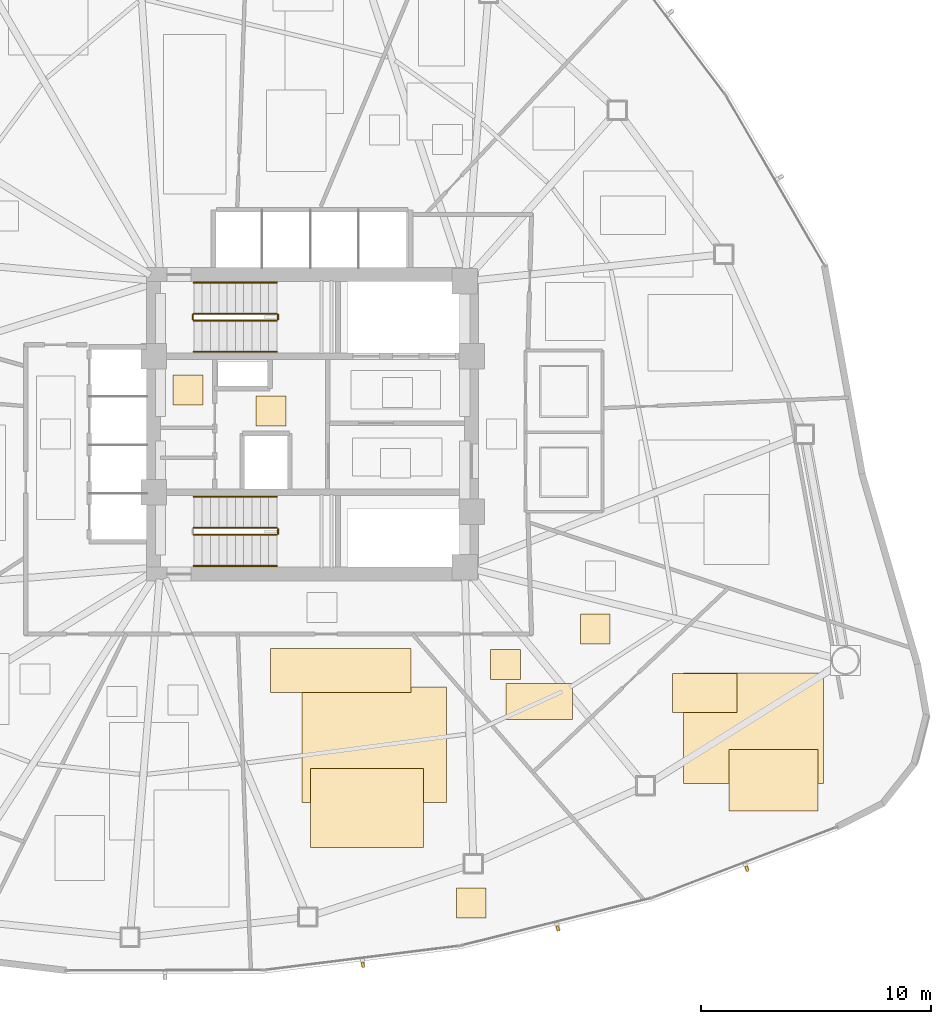
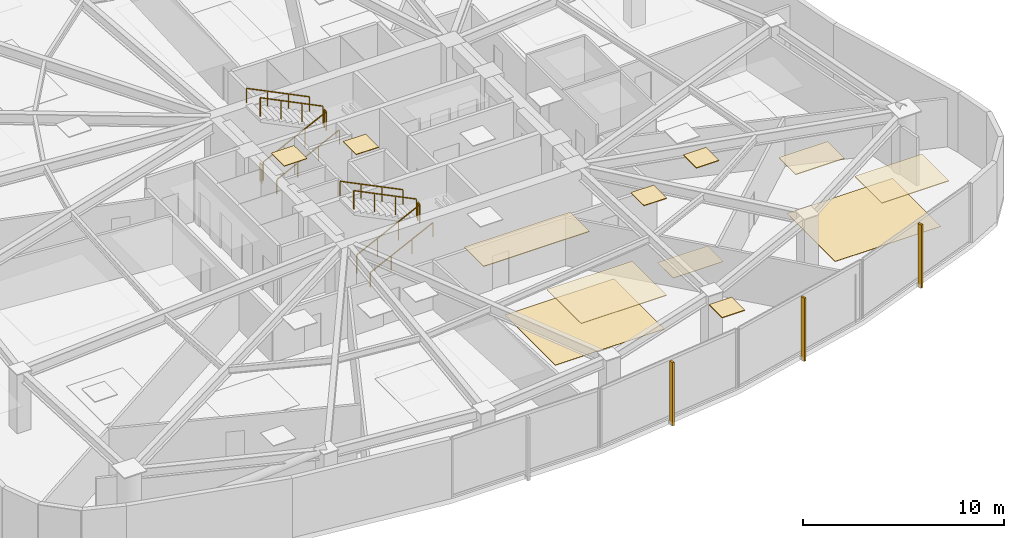
# One storey, part 15 of 17: 12 coverings, 11 railings, 3 shading devices.
"""IFC4 building model written with IfcOpenShell, lengths in metres."""

from ifc_helpers import new_model, si_unit, direction, frame, origin, origin_2d, place, context, subcontext, project, spatial, polyline, rectangle, outline, extrude, source, transform, mapped, material, layer, layer_set, type_object, type_shapes, element, save


model = new_model("IFC4")

# Units and contexts
model_context = context("Model", 3, precision=1e-05, world=origin(), true_north=direction((0.0, 1.0)))
body_context = subcontext(model_context, "Body", "Model", "MODEL_VIEW")
ifc_project = project(units=[si_unit("LENGTHUNIT", "METRE"), si_unit("AREAUNIT", "SQUARE_METRE"), si_unit("VOLUMEUNIT", "CUBIC_METRE"), si_unit("PLANEANGLEUNIT", "RADIAN"), si_unit("MASSUNIT", "GRAM", prefix="KILO")], contexts=[model_context])

# Site, building, storey
site_placement = place(None, origin())
site = spatial("IfcSite", under=ifc_project, at=site_placement, CompositionType="ELEMENT")
building_placement = place(site_placement, origin())
building = spatial("IfcBuilding", under=site, at=building_placement, Name="Tavelor Broadcast Tower", CompositionType="ELEMENT")
storey_placement = place(building_placement, frame((0.0, 0.0, 39.300048828125)))
storey = spatial("IfcBuildingStorey", under=building, at=storey_placement, Name="L08", CompositionType="ELEMENT", Elevation=39.300048828125)

# Railings
ifc_material_1 = material(Name="Steel S355", Category="steel")
railing_type_1 = type_object("IfcRailingType", Name="Continuous Brushed Stainless Handrail 900 mm", PredefinedType="HANDRAIL", material=ifc_material_1)
railing_1_placement = place(storey_placement, frame((44.85009765625, 48.14990234375, 0.17724609375)))
element("IfcRailing", 1, at=railing_1_placement, inside=storey, type_object=railing_type_1, Name="L08 ST1 stair handrail 1", PredefinedType="HANDRAIL", context=body_context, shape_type="SweptSolid", body=[
    extrude(rectangle(XDim=0.048095703125, YDim=0.048095703125, at=origin_2d()), frame((0.0, 0.0, 0.8759765625), z_axis=(0.897124305991, 0.0, 0.441778201817), x_axis=(0.0, 1.0, 0.0)), (0.0, 0.0, 1.0), 4.0126953125),
    extrude(rectangle(XDim=0.0419921875, YDim=0.0419921875, at=origin_2d()), origin(), (0.0, 0.0, 1.0), 0.851806640625),
    extrude(rectangle(XDim=0.0419921875, YDim=0.0419921875, at=origin_2d()), frame((1.199951171875, 0.0, 0.5908203125)), (0.0, 0.0, 1.0), 0.851806640625),
    extrude(rectangle(XDim=0.0419921875, YDim=0.0419921875, at=origin_2d()), frame((2.39990234375, 0.0, 1.181884765625)), (0.0, 0.0, 1.0), 0.851806640625),
    extrude(rectangle(XDim=0.0419921875, YDim=0.0419921875, at=origin_2d()), frame((3.599853515625, 0.0, 1.772705078125)), (0.0, 0.0, 1.0), 0.851806640625),
])
railing_2_placement = place(storey_placement, frame((48.449951171875, 51.14990234375, 2.127197265625)))
element("IfcRailing", 2, at=railing_2_placement, inside=storey, type_object=railing_type_1, Name="L08 ST1 stair handrail 2", PredefinedType="HANDRAIL", context=body_context, shape_type="SweptSolid", body=[
    extrude(rectangle(XDim=0.048095703125, YDim=0.048095703125, at=origin_2d()), frame((0.0, 0.0, 0.8759765625), z_axis=(-0.897124305991, 0.0, 0.441778201817), x_axis=(0.0, -1.0, 0.0)), (0.0, 0.0, 1.0), 4.0126953125),
    extrude(rectangle(XDim=0.0419921875, YDim=0.0419921875, at=origin_2d()), origin(), (0.0, 0.0, 1.0), 0.851806640625),
    extrude(rectangle(XDim=0.0419921875, YDim=0.0419921875, at=origin_2d()), frame((-1.199951171875, 0.0, 0.5908203125)), (0.0, 0.0, 1.0), 0.851806640625),
    extrude(rectangle(XDim=0.0419921875, YDim=0.0419921875, at=origin_2d()), frame((-2.39990234375, 0.0, 1.181884765625)), (0.0, 0.0, 1.0), 0.851806640625),
    extrude(rectangle(XDim=0.0419921875, YDim=0.0419921875, at=origin_2d()), frame((-3.599853515625, 0.0, 1.772705078125)), (0.0, 0.0, 1.0), 0.851806640625),
])
railing_3_placement = place(storey_placement, frame((44.85009765625, 38.85009765625, 0.17724609375)))
element("IfcRailing", 3, at=railing_3_placement, inside=storey, type_object=railing_type_1, Name="L08 ST2 stair handrail 1", PredefinedType="HANDRAIL", context=body_context, shape_type="SweptSolid", body=[
    extrude(rectangle(XDim=0.048095703125, YDim=0.048095703125, at=origin_2d()), frame((0.0, 0.0, 0.8759765625), z_axis=(0.897124305991, 0.0, 0.441778201817), x_axis=(0.0, 1.0, 0.0)), (0.0, 0.0, 1.0), 4.0126953125),
    extrude(rectangle(XDim=0.0419921875, YDim=0.0419921875, at=origin_2d()), origin(), (0.0, 0.0, 1.0), 0.851806640625),
    extrude(rectangle(XDim=0.0419921875, YDim=0.0419921875, at=origin_2d()), frame((1.199951171875, 0.0, 0.5908203125)), (0.0, 0.0, 1.0), 0.851806640625),
    extrude(rectangle(XDim=0.0419921875, YDim=0.0419921875, at=origin_2d()), frame((2.39990234375, 0.0, 1.181884765625)), (0.0, 0.0, 1.0), 0.851806640625),
    extrude(rectangle(XDim=0.0419921875, YDim=0.0419921875, at=origin_2d()), frame((3.599853515625, 0.0, 1.772705078125)), (0.0, 0.0, 1.0), 0.851806640625),
])
railing_4_placement = place(storey_placement, frame((48.449951171875, 41.85009765625, 2.127197265625)))
element("IfcRailing", 4, at=railing_4_placement, inside=storey, type_object=railing_type_1, Name="L08 ST2 stair handrail 2", PredefinedType="HANDRAIL", context=body_context, shape_type="SweptSolid", body=[
    extrude(rectangle(XDim=0.048095703125, YDim=0.048095703125, at=origin_2d()), frame((0.0, 0.0, 0.8759765625), z_axis=(-0.897124305991, 0.0, 0.441778201817), x_axis=(0.0, -1.0, 0.0)), (0.0, 0.0, 1.0), 4.0126953125),
    extrude(rectangle(XDim=0.0419921875, YDim=0.0419921875, at=origin_2d()), origin(), (0.0, 0.0, 1.0), 0.851806640625),
    extrude(rectangle(XDim=0.0419921875, YDim=0.0419921875, at=origin_2d()), frame((-1.199951171875, 0.0, 0.5908203125)), (0.0, 0.0, 1.0), 0.851806640625),
    extrude(rectangle(XDim=0.0419921875, YDim=0.0419921875, at=origin_2d()), frame((-2.39990234375, 0.0, 1.181884765625)), (0.0, 0.0, 1.0), 0.851806640625),
    extrude(rectangle(XDim=0.0419921875, YDim=0.0419921875, at=origin_2d()), frame((-3.599853515625, 0.0, 1.772705078125)), (0.0, 0.0, 1.0), 0.851806640625),
])

# Coverings
ifc_material_2 = material(Name="Acoustic Nylon Carpet Tile")
ifc_layer_1 = layer(ifc_material_2, 0.02001953125)
ifc_layer_set_1 = layer_set([ifc_layer_1], Name="Acoustic Nylon Carpet Tile")
covering_type_1 = type_object("IfcCoveringType", Name="Heavy-Duty Acoustic Broadcast Carpet Tile 20 mm", PredefinedType="FLOORING", material=ifc_layer_set_1)
covering_1_placement = place(storey_placement, origin())
element("IfcCovering", 5, at=covering_1_placement, inside=storey, type_object=covering_type_1, Name="L08 Broadcast Floor Finish 0089", PredefinedType="FLOORING", context=body_context, shape_type="SweptSolid", body=[
    extrude(outline(polyline([(49.545166015625, 28.576904296875), (55.811279296875, 28.576904296875), (55.811279296875, 33.599609375), (49.545166015625, 33.599609375), (49.545166015625, 28.576904296875)])), origin(), (0.0, 0.0, 1.0), 0.02001953125),
])
covering_2_placement = place(storey_placement, origin())
element("IfcCovering", 6, at=covering_2_placement, inside=storey, type_object=covering_type_1, Name="L08 Broadcast Floor Finish 0099", PredefinedType="FLOORING", context=body_context, shape_type="SweptSolid", body=[
    extrude(outline(polyline([(66.093017578125, 29.40380859375), (72.163330078125, 29.40380859375), (72.163330078125, 34.2138671875), (66.093017578125, 34.2138671875), (66.093017578125, 29.40380859375)])), origin(), (0.0, 0.0, 1.0), 0.02001953125),
])
covering_3_placement = place(storey_placement, origin())
element("IfcCovering", 7, at=covering_3_placement, inside=storey, type_object=covering_type_1, Name="L08 Broadcast Floor Finish 0100", PredefinedType="FLOORING", context=body_context, shape_type="SweptSolid", body=[
    extrude(outline(polyline([(58.389892578125, 32.178955078125), (61.267578125, 32.178955078125), (61.267578125, 33.745361328125), (58.389892578125, 33.745361328125), (58.389892578125, 32.178955078125)])), origin(), (0.0, 0.0, 1.0), 0.02001953125),
])
ifc_material_3 = material(Name="Architectural Anodized Aluminium", Category="aluminium")
ifc_layer_2 = layer(ifc_material_3, 0.030029296875)
ifc_layer_set_2 = layer_set([ifc_layer_2], Name="Architectural Anodized Aluminium")
covering_type_2 = type_object("IfcCoveringType", Name="Moisture-Resistant Washroom Ceiling 30 mm", PredefinedType="CEILING", material=ifc_layer_set_2)
covering_4_placement = place(storey_placement, frame((0.0, 0.0, 3.570068359375)))
element("IfcCovering", 8, at=covering_4_placement, inside=storey, type_object=covering_type_2, Name="L08 Suspended Acoustic Ceiling 0254", PredefinedType="CEILING", context=body_context, shape_type="SweptSolid", body=[
    extrude(outline(polyline([(43.951416015625, 45.843017578125), (45.25146484375, 45.843017578125), (45.25146484375, 47.14306640625), (43.951416015625, 47.14306640625), (43.951416015625, 45.843017578125)])), origin(), (0.0, 0.0, 1.0), 0.02978515625),
])

# Railings
railing_type_2 = type_object("IfcRailingType", Name="Stairwell Steel Safety Guardrail 1150 mm", PredefinedType="GUARDRAIL", material=ifc_material_1)
railing_5_placement = place(storey_placement, frame((44.85009765625, 49.5, 0.17724609375)))
element("IfcRailing", 9, at=railing_5_placement, inside=storey, type_object=railing_type_2, Name="L08 ST1 stair guard 1", PredefinedType="GUARDRAIL", context=body_context, shape_type="SweptSolid", body=[
    extrude(rectangle(XDim=0.048095703125, YDim=0.048095703125, at=origin_2d()), frame((0.0, 0.0, 1.1259765625), z_axis=(0.897124305991, 0.0, 0.441778201817), x_axis=(0.0, 1.0, 0.0)), (0.0, 0.0, 1.0), 4.0126953125),
    extrude(rectangle(XDim=0.0419921875, YDim=0.0419921875, at=origin_2d()), origin(), (0.0, 0.0, 1.0), 1.101806640625),
    extrude(rectangle(XDim=0.0419921875, YDim=0.0419921875, at=origin_2d()), frame((1.199951171875, 0.0, 0.5908203125)), (0.0, 0.0, 1.0), 1.101806640625),
    extrude(rectangle(XDim=0.0419921875, YDim=0.0419921875, at=origin_2d()), frame((2.39990234375, 0.0, 1.181884765625)), (0.0, 0.0, 1.0), 1.101806640625),
    extrude(rectangle(XDim=0.0419921875, YDim=0.0419921875, at=origin_2d()), frame((3.599853515625, 0.0, 1.772705078125)), (0.0, 0.0, 1.0), 1.101806640625),
])
railing_6_placement = place(storey_placement, frame((48.5, 49.550048828125, 1.949951171875)))
element("IfcRailing", 10, at=railing_6_placement, inside=storey, type_object=railing_type_2, Name="L08 ST1 stair guard 2", PredefinedType="GUARDRAIL", context=body_context, shape_type="SweptSolid", body=[
    extrude(rectangle(XDim=0.048095703125, YDim=0.048095703125, at=origin_2d()), frame((0.0, 0.0, 1.1259765625), z_axis=(0.0, 1.0, 0.0), x_axis=(-1.0, 0.0, 0.0)), (0.0, 0.0, 1.0), 0.199951171875),
    extrude(rectangle(XDim=0.0419921875, YDim=0.0419921875, at=origin_2d()), origin(), (0.0, 0.0, 1.0), 1.101806640625),
    extrude(rectangle(XDim=0.0419921875, YDim=0.0419921875, at=origin_2d()), frame((0.0, 0.199951171875, 0.0)), (0.0, 0.0, 1.0), 1.101806640625),
])
railing_7_placement = place(storey_placement, frame((48.449951171875, 49.800048828125, 2.127197265625)))
element("IfcRailing", 11, at=railing_7_placement, inside=storey, type_object=railing_type_2, Name="L08 ST1 stair guard 3", PredefinedType="GUARDRAIL", context=body_context, shape_type="SweptSolid", body=[
    extrude(rectangle(XDim=0.048095703125, YDim=0.048095703125, at=origin_2d()), frame((0.0, 0.0, 1.1259765625), z_axis=(-0.897124305991, 0.0, 0.441778201817), x_axis=(0.0, -1.0, 0.0)), (0.0, 0.0, 1.0), 4.0126953125),
    extrude(rectangle(XDim=0.0419921875, YDim=0.0419921875, at=origin_2d()), origin(), (0.0, 0.0, 1.0), 1.101806640625),
    extrude(rectangle(XDim=0.0419921875, YDim=0.0419921875, at=origin_2d()), frame((-1.199951171875, 0.0, 0.5908203125)), (0.0, 0.0, 1.0), 1.101806640625),
    extrude(rectangle(XDim=0.0419921875, YDim=0.0419921875, at=origin_2d()), frame((-2.39990234375, 0.0, 1.181884765625)), (0.0, 0.0, 1.0), 1.101806640625),
    extrude(rectangle(XDim=0.0419921875, YDim=0.0419921875, at=origin_2d()), frame((-3.599853515625, 0.0, 1.772705078125)), (0.0, 0.0, 1.0), 1.101806640625),
])
railing_8_placement = place(storey_placement, frame((44.800048828125, 49.550048828125, 0.0)))
element("IfcRailing", 12, at=railing_8_placement, inside=storey, type_object=railing_type_2, Name="L08 ST1 stair guard 4", PredefinedType="GUARDRAIL", context=body_context, shape_type="SweptSolid", body=[
    extrude(rectangle(XDim=0.048095703125, YDim=0.048095703125, at=origin_2d()), frame((0.0, 0.0, 1.1259765625), z_axis=(0.0, 1.0, 0.0), x_axis=(-1.0, 0.0, 0.0)), (0.0, 0.0, 1.0), 0.199951171875),
    extrude(rectangle(XDim=0.0419921875, YDim=0.0419921875, at=origin_2d()), origin(), (0.0, 0.0, 1.0), 1.101806640625),
    extrude(rectangle(XDim=0.0419921875, YDim=0.0419921875, at=origin_2d()), frame((0.0, 0.199951171875, 0.0)), (0.0, 0.0, 1.0), 1.101806640625),
])
railing_9_placement = place(storey_placement, frame((44.85009765625, 40.199951171875, 0.17724609375)))
element("IfcRailing", 13, at=railing_9_placement, inside=storey, type_object=railing_type_2, Name="L08 ST2 stair guard 1", PredefinedType="GUARDRAIL", context=body_context, shape_type="SweptSolid", body=[
    extrude(rectangle(XDim=0.048095703125, YDim=0.048095703125, at=origin_2d()), frame((0.0, 0.0, 1.1259765625), z_axis=(0.897124305991, 0.0, 0.441778201817), x_axis=(0.0, 1.0, 0.0)), (0.0, 0.0, 1.0), 4.0126953125),
    extrude(rectangle(XDim=0.0419921875, YDim=0.0419921875, at=origin_2d()), origin(), (0.0, 0.0, 1.0), 1.101806640625),
    extrude(rectangle(XDim=0.0419921875, YDim=0.0419921875, at=origin_2d()), frame((1.199951171875, 0.0, 0.5908203125)), (0.0, 0.0, 1.0), 1.101806640625),
    extrude(rectangle(XDim=0.0419921875, YDim=0.0419921875, at=origin_2d()), frame((2.39990234375, 0.0, 1.181884765625)), (0.0, 0.0, 1.0), 1.101806640625),
    extrude(rectangle(XDim=0.0419921875, YDim=0.0419921875, at=origin_2d()), frame((3.599853515625, 0.0, 1.772705078125)), (0.0, 0.0, 1.0), 1.101806640625),
])
railing_10_placement = place(storey_placement, frame((48.5, 40.25, 1.949951171875)))
element("IfcRailing", 14, at=railing_10_placement, inside=storey, type_object=railing_type_2, Name="L08 ST2 stair guard 2", PredefinedType="GUARDRAIL", context=body_context, shape_type="SweptSolid", body=[
    extrude(rectangle(XDim=0.048095703125, YDim=0.048095703125, at=origin_2d()), frame((0.0, 0.0, 1.1259765625), z_axis=(0.0, 1.0, 0.0), x_axis=(-1.0, 0.0, 0.0)), (0.0, 0.0, 1.0), 0.199951171875),
    extrude(rectangle(XDim=0.0419921875, YDim=0.0419921875, at=origin_2d()), origin(), (0.0, 0.0, 1.0), 1.101806640625),
    extrude(rectangle(XDim=0.0419921875, YDim=0.0419921875, at=origin_2d()), frame((0.0, 0.199951171875, 0.0)), (0.0, 0.0, 1.0), 1.101806640625),
])
railing_11_placement = place(storey_placement, frame((48.449951171875, 40.5, 2.127197265625)))
element("IfcRailing", 15, at=railing_11_placement, inside=storey, type_object=railing_type_2, Name="L08 ST2 stair guard 3", PredefinedType="GUARDRAIL", context=body_context, shape_type="SweptSolid", body=[
    extrude(rectangle(XDim=0.048095703125, YDim=0.048095703125, at=origin_2d()), frame((0.0, 0.0, 1.1259765625), z_axis=(-0.897124305991, 0.0, 0.441778201817), x_axis=(0.0, -1.0, 0.0)), (0.0, 0.0, 1.0), 4.0126953125),
    extrude(rectangle(XDim=0.0419921875, YDim=0.0419921875, at=origin_2d()), origin(), (0.0, 0.0, 1.0), 1.101806640625),
    extrude(rectangle(XDim=0.0419921875, YDim=0.0419921875, at=origin_2d()), frame((-1.199951171875, 0.0, 0.5908203125)), (0.0, 0.0, 1.0), 1.101806640625),
    extrude(rectangle(XDim=0.0419921875, YDim=0.0419921875, at=origin_2d()), frame((-2.39990234375, 0.0, 1.181884765625)), (0.0, 0.0, 1.0), 1.101806640625),
    extrude(rectangle(XDim=0.0419921875, YDim=0.0419921875, at=origin_2d()), frame((-3.599853515625, 0.0, 1.772705078125)), (0.0, 0.0, 1.0), 1.101806640625),
])

# Coverings
ifc_material_4 = material(Name="Acoustic Mineral Fibre Tile")
ifc_layer_3 = layer(ifc_material_4, 0.0400390625)
ifc_layer_set_3 = layer_set([ifc_layer_3], Name="Acoustic Mineral Fibre Tile")
covering_type_3 = type_object("IfcCoveringType", Name="Suspended Acoustic Mineral-Fibre Office Ceiling 40 mm", PredefinedType="CEILING", material=ifc_layer_set_3)
covering_5_placement = place(storey_placement, frame((0.0, 0.0, 3.56005859375)))
element("IfcCovering", 16, at=covering_5_placement, inside=storey, type_object=covering_type_3, Name="L08 Suspended Acoustic Ceiling 0253", PredefinedType="CEILING", context=body_context, shape_type="SweptSolid", body=[
    extrude(outline(polyline([(47.544921875, 44.919921875), (48.844970703125, 44.919921875), (48.844970703125, 46.219970703125), (47.544921875, 46.219970703125), (47.544921875, 44.919921875)])), origin(), (0.0, 0.0, 1.0), 0.039794921875),
])
covering_6_placement = place(storey_placement, frame((0.0, 0.0, 3.56005859375)))
element("IfcCovering", 17, at=covering_6_placement, inside=storey, type_object=covering_type_3, Name="L08 Suspended Acoustic Ceiling 0260", PredefinedType="CEILING", context=body_context, shape_type="SweptSolid", body=[
    extrude(outline(polyline([(48.1826171875, 33.3515625), (54.263671875, 33.3515625), (54.263671875, 35.2783203125), (48.1826171875, 35.2783203125), (48.1826171875, 33.3515625)])), origin(), (0.0, 0.0, 1.0), 0.039794921875),
])
covering_7_placement = place(storey_placement, frame((0.0, 0.0, 3.56005859375)))
element("IfcCovering", 18, at=covering_7_placement, inside=storey, type_object=covering_type_3, Name="L08 Suspended Acoustic Ceiling 0261", PredefinedType="CEILING", context=body_context, shape_type="SweptSolid", body=[
    extrude(outline(polyline([(56.234375, 23.571533203125), (57.534423828125, 23.571533203125), (57.534423828125, 24.87158203125), (56.234375, 24.87158203125), (56.234375, 23.571533203125)])), origin(), (0.0, 0.0, 1.0), 0.039794921875),
])
covering_8_placement = place(storey_placement, frame((0.0, 0.0, 3.56005859375)))
element("IfcCovering", 19, at=covering_8_placement, inside=storey, type_object=covering_type_3, Name="L08 Suspended Acoustic Ceiling 0262", PredefinedType="CEILING", context=body_context, shape_type="SweptSolid", body=[
    extrude(outline(polyline([(49.9033203125, 26.638916015625), (54.817138671875, 26.638916015625), (54.817138671875, 30.0517578125), (49.9033203125, 30.0517578125), (49.9033203125, 26.638916015625)])), origin(), (0.0, 0.0, 1.0), 0.039794921875),
])
covering_9_placement = place(storey_placement, frame((0.0, 0.0, 3.56005859375)))
element("IfcCovering", 20, at=covering_9_placement, inside=storey, type_object=covering_type_3, Name="L08 Suspended Acoustic Ceiling 0291", PredefinedType="CEILING", context=body_context, shape_type="SweptSolid", body=[
    extrude(outline(polyline([(65.61181640625, 32.494873046875), (68.41748046875, 32.494873046875), (68.41748046875, 34.179443359375), (65.61181640625, 34.179443359375), (65.61181640625, 32.494873046875)])), origin(), (0.0, 0.0, 1.0), 0.039794921875),
])
covering_10_placement = place(storey_placement, frame((0.0, 0.0, 3.56005859375)))
element("IfcCovering", 21, at=covering_10_placement, inside=storey, type_object=covering_type_3, Name="L08 Suspended Acoustic Ceiling 0292", PredefinedType="CEILING", context=body_context, shape_type="SweptSolid", body=[
    extrude(outline(polyline([(68.074462890625, 28.207763671875), (71.933837890625, 28.207763671875), (71.933837890625, 30.887451171875), (68.074462890625, 30.887451171875), (68.074462890625, 28.207763671875)])), origin(), (0.0, 0.0, 1.0), 0.039794921875),
])
covering_11_placement = place(storey_placement, frame((0.0, 0.0, 3.56005859375)))
element("IfcCovering", 22, at=covering_11_placement, inside=storey, type_object=covering_type_3, Name="L08 Suspended Acoustic Ceiling 0293", PredefinedType="CEILING", context=body_context, shape_type="SweptSolid", body=[
    extrude(outline(polyline([(61.615966796875, 35.45458984375), (62.916015625, 35.45458984375), (62.916015625, 36.754638671875), (61.615966796875, 36.754638671875), (61.615966796875, 35.45458984375)])), origin(), (0.0, 0.0, 1.0), 0.039794921875),
])
covering_12_placement = place(storey_placement, frame((0.0, 0.0, 3.56005859375)))
element("IfcCovering", 23, at=covering_12_placement, inside=storey, type_object=covering_type_3, Name="L08 Suspended Acoustic Ceiling 0295", PredefinedType="CEILING", context=body_context, shape_type="SweptSolid", body=[
    extrude(outline(polyline([(57.7255859375, 33.928955078125), (59.025634765625, 33.928955078125), (59.025634765625, 35.22900390625), (57.7255859375, 35.22900390625), (57.7255859375, 33.928955078125)])), origin(), (0.0, 0.0, 1.0), 0.039794921875),
])

# Shading devices
ifc_material_5 = material(Name="Kiln-Fired Glazed Terracotta", Category="masonry")
shading_device_type = type_object("IfcShadingDeviceType", Name="Extruded Terracotta Baguette Sun-Screen 110x240", PredefinedType="JALOUSIE", material=ifc_material_5)
shared_shape = source(origin(), body_context, "Body", "SweptSolid", [
    extrude(rectangle(XDim=0.110107421875, YDim=0.239990234375, at=origin_2d()), origin(), (0.0, 0.0, 1.0), 3.840087890625),
])
type_shapes(shading_device_type, [shared_shape])
for number, where, z_axis, x_axis, name in (
    (24, (52.186767578125, 21.541748046875, -0.26025390625), (0.0, 0.0, 1.0), (0.992375022483, 0.123255080026, 0.0), "L08 Terracotta Baguette Fin 54"),
    (25, (60.64599609375, 23.1171875, -0.26025390625), (0.0, 0.0, 1.0), (0.970168923267, 0.242429908069, 0.0), "L08 Terracotta Baguette Fin 55"),
    (26, (68.8525390625, 25.704833984375, -0.26025390625), (0.0, 0.0, 1.0), (0.933705463631, 0.358042046673, 0.0), "L08 Terracotta Baguette Fin 56"),
):
    element("IfcShadingDevice", number, at=place(storey_placement, frame(where, z_axis=z_axis, x_axis=x_axis)), inside=storey, type_object=shading_device_type, Name=name, PredefinedType="JALOUSIE", context=body_context, shape_type="MappedRepresentation", body=[
        mapped(shared_shape, transform((0.0, 0.0, 0.0), scale=1.0)),
    ])

save(model, "model.ifc")
